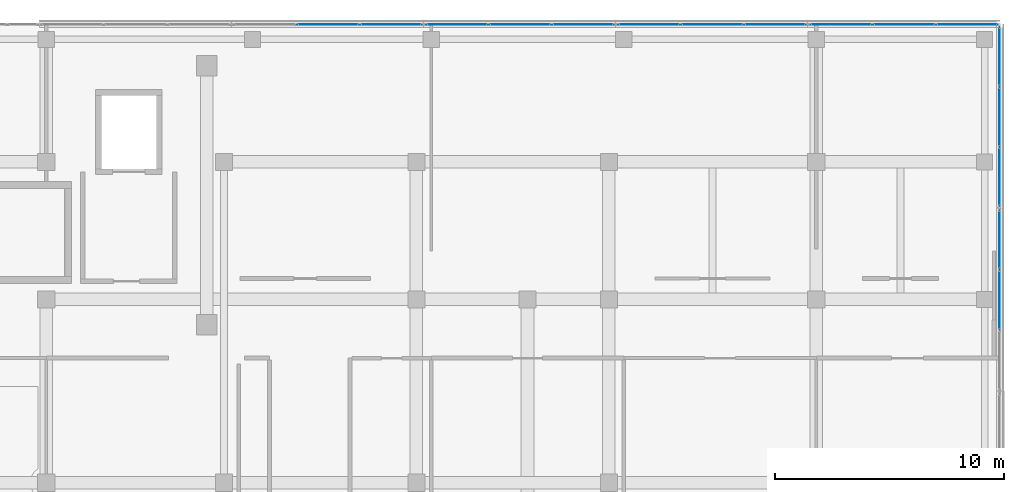
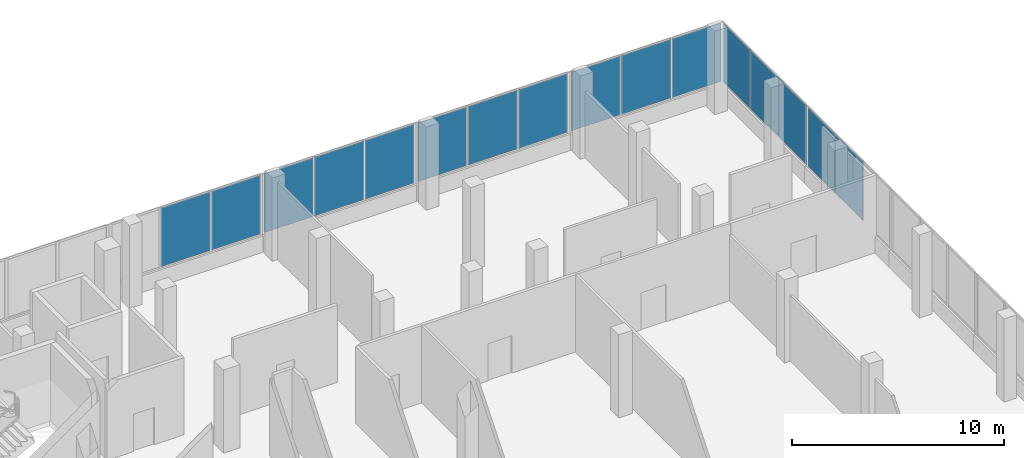
# One storey, part 128 of 155: 16 plates, 6 elements without a shape of their own.
"""IFC4 building model written with IfcOpenShell, lengths in metres."""

from ifc_helpers import new_model, si_unit, direction, frame, origin, origin_2d, place, context, subcontext, project, spatial, rectangle, extrude, material, layer, layer_set, type_object, element, aggregate, save


model = new_model("IFC4")

# Units and contexts
model_context = context("Model", 3, precision=1e-05, world=origin(), true_north=direction((0.0, 1.0)))
body_context = subcontext(model_context, "Body", "Model", "MODEL_VIEW")
ifc_project = project(units=[si_unit("LENGTHUNIT", "METRE"), si_unit("AREAUNIT", "SQUARE_METRE"), si_unit("VOLUMEUNIT", "CUBIC_METRE"), si_unit("PLANEANGLEUNIT", "RADIAN"), si_unit("MASSUNIT", "GRAM", prefix="KILO")], contexts=[model_context])

# Site, building, storey
site_placement = place(None, origin())
site = spatial("IfcSite", under=ifc_project, at=site_placement, CompositionType="ELEMENT")
building_placement = place(site_placement, origin())
building = spatial("IfcBuilding", under=site, at=building_placement, Name="Selatvlak General Hospital", CompositionType="ELEMENT")
storey_placement = place(building_placement, frame((0.0, 0.0, 10.199951171875)))
storey = spatial("IfcBuildingStorey", under=building, at=storey_placement, Name="L02", CompositionType="ELEMENT", Elevation=10.199951171875)

# Curtain wall, plates
ifc_material = material(Name="Solar-control Low-E double glazing", Category="glass")
curtain_wall_type_1 = type_object("IfcCurtainWallType", Name="CW-CW-02", PredefinedType="USERDEFINED", material=ifc_material)
curtain_wall_1_placement = place(storey_placement, origin())
curtain_wall_1 = element("IfcCurtainWall", 1, at=curtain_wall_1_placement, inside=storey, type_object=curtain_wall_type_1, Name="Glazed facade curtain wall CW-L02-0259", ObjectType="UNITISED CURTAIN WALL", PredefinedType="USERDEFINED")
ifc_layer = layer(ifc_material, 0.028076171875, Name="Solar-control Low-E double glazing", Category="glass")
ifc_layer_set = layer_set([ifc_layer], Name="Solar-control Low-E double glazing")
plate_type = type_object("IfcPlateType", Name="CWP-01", PredefinedType="CURTAIN_PANEL", material=ifc_layer_set)
plate_1_placement = place(storey_placement, frame((152.694091796875, 120.0, 1.0048828125), z_axis=(0.0, 0.0, 1.0), x_axis=(1.0, 0.0, 0.0)))
plate_1 = element("IfcPlate", 2, at=plate_1_placement, type_object=plate_type, Name="CW-02 panel 2.1", PredefinedType="CURTAIN_PANEL", context=body_context, shape_type="SweptSolid", body=[
    extrude(rectangle(XDim=2.70166015625, YDim=0.028076171875, at=origin_2d()), origin(), (0.0, 0.0, 1.0), 3.389892578125),
])
plate_2_placement = place(storey_placement, frame((155.4443359375, 120.0, 1.0048828125), z_axis=(0.0, 0.0, 1.0), x_axis=(1.0, 0.0, 0.0)))
plate_2 = element("IfcPlate", 3, at=plate_2_placement, type_object=plate_type, Name="CW-02 panel 3.1", PredefinedType="CURTAIN_PANEL", context=body_context, shape_type="SweptSolid", body=[
    extrude(rectangle(XDim=2.669189453125, YDim=0.028076171875, at=origin_2d()), origin(), (0.0, 0.0, 1.0), 3.389892578125),
])
aggregate(curtain_wall_1, [plate_1, plate_2])

curtain_wall_type_2 = type_object("IfcCurtainWallType", Name="CW-CW-01", PredefinedType="USERDEFINED", material=ifc_material)
curtain_wall_2_placement = place(storey_placement, origin())
curtain_wall_2 = element("IfcCurtainWall", 4, at=curtain_wall_2_placement, inside=storey, type_object=curtain_wall_type_2, Name="Glazed facade curtain wall CW-L02-0260", ObjectType="UNITISED CURTAIN WALL", PredefinedType="USERDEFINED")
plate_3_placement = place(storey_placement, frame((158.323486328125, 120.0, 1.0048828125), z_axis=(0.0, 0.0, 1.0), x_axis=(1.0, 0.0, 0.0)))
plate_3 = element("IfcPlate", 5, at=plate_3_placement, type_object=plate_type, Name="CW-01 panel 1.1", PredefinedType="CURTAIN_PANEL", context=body_context, shape_type="SweptSolid", body=[
    extrude(rectangle(XDim=2.669189453125, YDim=0.028076171875, at=origin_2d()), origin(), (0.0, 0.0, 1.0), 3.389892578125),
])
plate_4_placement = place(storey_placement, frame((161.073974609375, 120.0, 1.0048828125), z_axis=(0.0, 0.0, 1.0), x_axis=(1.0, 0.0, 0.0)))
plate_4 = element("IfcPlate", 6, at=plate_4_placement, type_object=plate_type, Name="CW-01 panel 2.1", PredefinedType="CURTAIN_PANEL", context=body_context, shape_type="SweptSolid", body=[
    extrude(rectangle(XDim=2.70166015625, YDim=0.028076171875, at=origin_2d()), origin(), (0.0, 0.0, 1.0), 3.389892578125),
])
plate_5_placement = place(storey_placement, frame((163.824462890625, 120.0, 1.0048828125), z_axis=(0.0, 0.0, 1.0), x_axis=(1.0, 0.0, 0.0)))
plate_5 = element("IfcPlate", 7, at=plate_5_placement, type_object=plate_type, Name="CW-01 panel 3.1", PredefinedType="CURTAIN_PANEL", context=body_context, shape_type="SweptSolid", body=[
    extrude(rectangle(XDim=2.669189453125, YDim=0.028076171875, at=origin_2d()), origin(), (0.0, 0.0, 1.0), 3.389892578125),
])
aggregate(curtain_wall_2, [plate_3, plate_4, plate_5])

curtain_wall_3_placement = place(storey_placement, origin())
curtain_wall_3 = element("IfcCurtainWall", 8, at=curtain_wall_3_placement, inside=storey, type_object=curtain_wall_type_1, Name="Glazed facade curtain wall CW-L02-0261", ObjectType="UNITISED CURTAIN WALL", PredefinedType="USERDEFINED")
plate_6_placement = place(storey_placement, frame((166.70361328125, 120.0, 1.0048828125), z_axis=(0.0, 0.0, 1.0), x_axis=(1.0, 0.0, 0.0)))
plate_6 = element("IfcPlate", 9, at=plate_6_placement, type_object=plate_type, Name="CW-02 panel 1.1", PredefinedType="CURTAIN_PANEL", context=body_context, shape_type="SweptSolid", body=[
    extrude(rectangle(XDim=2.669189453125, YDim=0.028076171875, at=origin_2d()), origin(), (0.0, 0.0, 1.0), 3.389892578125),
])
plate_7_placement = place(storey_placement, frame((169.4541015625, 120.0, 1.0048828125), z_axis=(0.0, 0.0, 1.0), x_axis=(1.0, 0.0, 0.0)))
plate_7 = element("IfcPlate", 10, at=plate_7_placement, type_object=plate_type, Name="CW-02 panel 2.1", PredefinedType="CURTAIN_PANEL", context=body_context, shape_type="SweptSolid", body=[
    extrude(rectangle(XDim=2.70166015625, YDim=0.028076171875, at=origin_2d()), origin(), (0.0, 0.0, 1.0), 3.389892578125),
])
plate_8_placement = place(storey_placement, frame((172.204345703125, 120.0, 1.0048828125), z_axis=(0.0, 0.0, 1.0), x_axis=(1.0, 0.0, 0.0)))
plate_8 = element("IfcPlate", 11, at=plate_8_placement, type_object=plate_type, Name="CW-02 panel 3.1", PredefinedType="CURTAIN_PANEL", context=body_context, shape_type="SweptSolid", body=[
    extrude(rectangle(XDim=2.669189453125, YDim=0.028076171875, at=origin_2d()), origin(), (0.0, 0.0, 1.0), 3.389892578125),
])
aggregate(curtain_wall_3, [plate_6, plate_7, plate_8])

curtain_wall_4_placement = place(storey_placement, origin())
curtain_wall_4 = element("IfcCurtainWall", 12, at=curtain_wall_4_placement, inside=storey, type_object=curtain_wall_type_2, Name="Glazed facade curtain wall CW-L02-0262", ObjectType="UNITISED CURTAIN WALL", PredefinedType="USERDEFINED")
plate_9_placement = place(storey_placement, frame((175.08349609375, 120.0, 1.0048828125), z_axis=(0.0, 0.0, 1.0), x_axis=(1.0, 0.0, 0.0)))
plate_9 = element("IfcPlate", 13, at=plate_9_placement, type_object=plate_type, Name="CW-01 panel 1.1", PredefinedType="CURTAIN_PANEL", context=body_context, shape_type="SweptSolid", body=[
    extrude(rectangle(XDim=2.669189453125, YDim=0.028076171875, at=origin_2d()), origin(), (0.0, 0.0, 1.0), 3.389892578125),
])
plate_10_placement = place(storey_placement, frame((177.833984375, 120.0, 1.0048828125), z_axis=(0.0, 0.0, 1.0), x_axis=(1.0, 0.0, 0.0)))
plate_10 = element("IfcPlate", 14, at=plate_10_placement, type_object=plate_type, Name="CW-01 panel 2.1", PredefinedType="CURTAIN_PANEL", context=body_context, shape_type="SweptSolid", body=[
    extrude(rectangle(XDim=2.70166015625, YDim=0.028076171875, at=origin_2d()), origin(), (0.0, 0.0, 1.0), 3.389892578125),
])
plate_11_placement = place(storey_placement, frame((180.58447265625, 120.0, 1.0048828125), z_axis=(0.0, 0.0, 1.0), x_axis=(1.0, 0.0, 0.0)))
plate_11 = element("IfcPlate", 15, at=plate_11_placement, type_object=plate_type, Name="CW-01 panel 3.1", PredefinedType="CURTAIN_PANEL", context=body_context, shape_type="SweptSolid", body=[
    extrude(rectangle(XDim=2.669189453125, YDim=0.028076171875, at=origin_2d()), origin(), (0.0, 0.0, 1.0), 3.389892578125),
])
aggregate(curtain_wall_4, [plate_9, plate_10, plate_11])

curtain_wall_5_placement = place(storey_placement, origin())
curtain_wall_5 = element("IfcCurtainWall", 16, at=curtain_wall_5_placement, inside=storey, type_object=curtain_wall_type_1, Name="Glazed facade curtain wall CW-L02-0263", ObjectType="UNITISED CURTAIN WALL", PredefinedType="USERDEFINED")
plate_12_placement = place(storey_placement, frame((181.9990234375, 118.5986328125, 1.0048828125), z_axis=(0.0, 0.0, 1.0), x_axis=(0.0, -1.0, 0.0)))
plate_12 = element("IfcPlate", 17, at=plate_12_placement, type_object=plate_type, Name="CW-02 panel 1.1", PredefinedType="CURTAIN_PANEL", context=body_context, shape_type="SweptSolid", body=[
    extrude(rectangle(XDim=2.54248046875, YDim=0.028076171875, at=origin_2d()), origin(), (0.0, 0.0, 1.0), 3.389892578125),
])
plate_13_placement = place(storey_placement, frame((181.9990234375, 115.97509765625, 1.0048828125), z_axis=(0.0, 0.0, 1.0), x_axis=(0.0, -1.0, 0.0)))
plate_13 = element("IfcPlate", 18, at=plate_13_placement, type_object=plate_type, Name="CW-02 panel 2.1", PredefinedType="CURTAIN_PANEL", context=body_context, shape_type="SweptSolid", body=[
    extrude(rectangle(XDim=2.574951171875, YDim=0.028076171875, at=origin_2d()), origin(), (0.0, 0.0, 1.0), 3.389892578125),
])
plate_14_placement = place(storey_placement, frame((181.9990234375, 113.351318359375, 1.0048828125), z_axis=(0.0, 0.0, 1.0), x_axis=(0.0, -1.0, 0.0)))
plate_14 = element("IfcPlate", 19, at=plate_14_placement, type_object=plate_type, Name="CW-02 panel 3.1", PredefinedType="CURTAIN_PANEL", context=body_context, shape_type="SweptSolid", body=[
    extrude(rectangle(XDim=2.54248046875, YDim=0.028076171875, at=origin_2d()), origin(), (0.0, 0.0, 1.0), 3.389892578125),
])
aggregate(curtain_wall_5, [plate_12, plate_13, plate_14])

curtain_wall_6_placement = place(storey_placement, origin())
curtain_wall_6 = element("IfcCurtainWall", 20, at=curtain_wall_6_placement, inside=storey, type_object=curtain_wall_type_2, Name="Glazed facade curtain wall CW-L02-0264", ObjectType="UNITISED CURTAIN WALL", PredefinedType="USERDEFINED")
plate_15_placement = place(storey_placement, frame((181.999267578125, 110.598876953125, 1.0048828125), z_axis=(0.0, 0.0, 1.0), x_axis=(0.000126278568, -0.999999992027, 0.0)))
plate_15 = element("IfcPlate", 21, at=plate_15_placement, type_object=plate_type, Name="CW-01 panel 1.1", PredefinedType="CURTAIN_PANEL", context=body_context, shape_type="SweptSolid", body=[
    extrude(rectangle(XDim=2.542236328125, YDim=0.028076171875, at=origin_2d()), origin(), (0.0, 0.0, 1.0), 3.389892578125),
])
plate_16_placement = place(storey_placement, frame((181.99951171875, 107.9755859375, 1.0048828125), z_axis=(0.0, 0.0, 1.0), x_axis=(0.000126278568, -0.999999992027, 0.0)))
plate_16 = element("IfcPlate", 22, at=plate_16_placement, type_object=plate_type, Name="CW-01 panel 2.1", PredefinedType="CURTAIN_PANEL", context=body_context, shape_type="SweptSolid", body=[
    extrude(rectangle(XDim=2.57470703125, YDim=0.028076171875, at=origin_2d()), origin(), (0.0, 0.0, 1.0), 3.389892578125),
])
aggregate(curtain_wall_6, [plate_15, plate_16])

save(model, "model.ifc")
